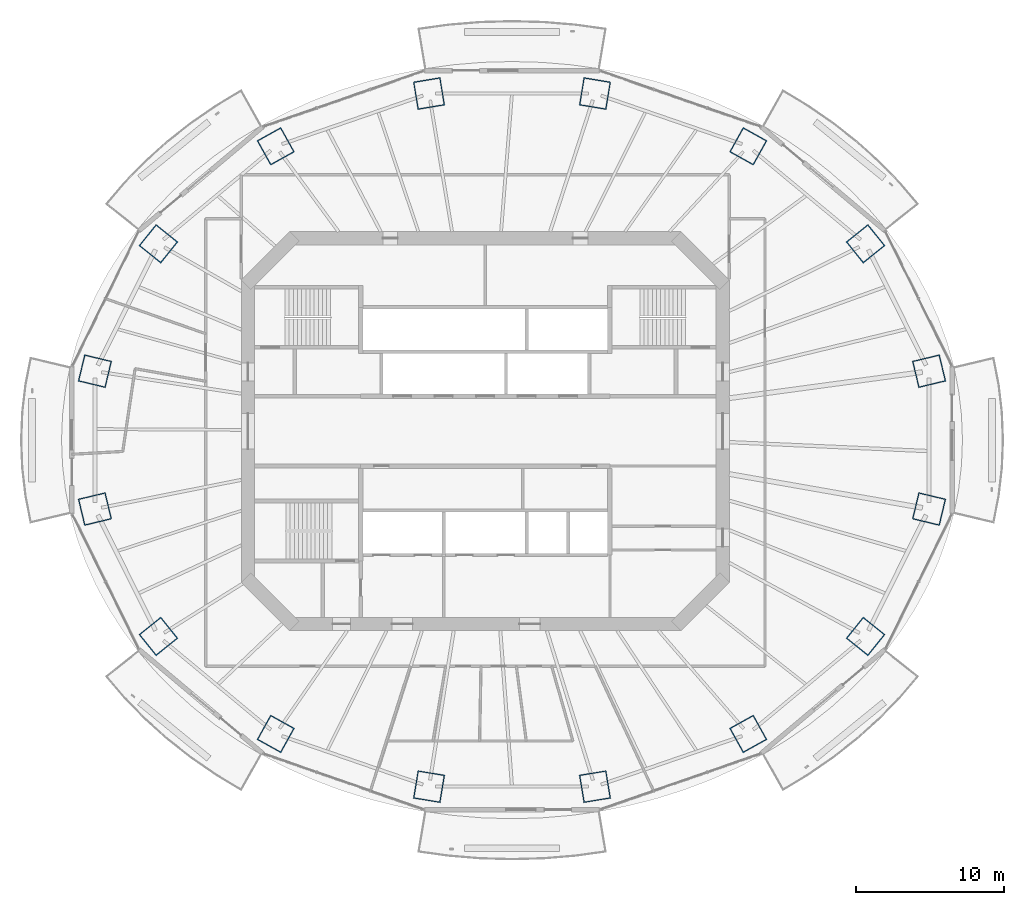
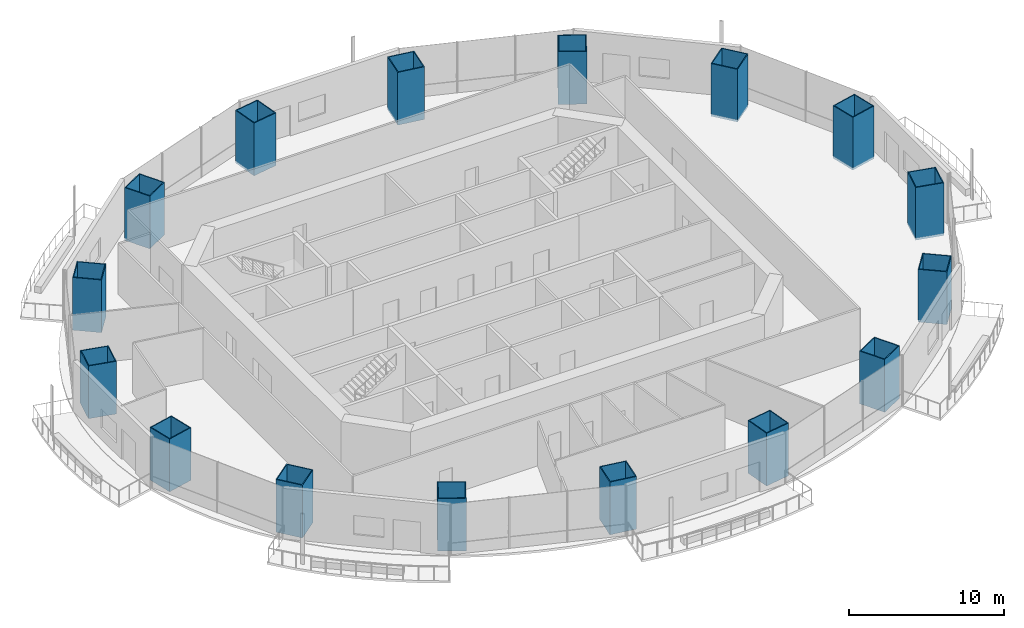
# One storey, part 1 of 19: 16 columns.
"""IFC4 building model written with IfcOpenShell, lengths in metres."""

from ifc_helpers import new_model, si_unit, direction, frame, origin, origin_2d, place, context, subcontext, project, spatial, rectangle, hollow_rectangle, extrude, material, material_profile, profile_set, type_object, element, save


model = new_model("IFC4")

# Units and contexts
model_context = context("Model", 3, precision=1e-05, world=origin(), true_north=direction((0.0, 1.0)))
body_context = subcontext(model_context, "Body", "Model", "MODEL_VIEW")
ifc_project = project(units=[si_unit("LENGTHUNIT", "METRE"), si_unit("AREAUNIT", "SQUARE_METRE"), si_unit("VOLUMEUNIT", "CUBIC_METRE"), si_unit("PLANEANGLEUNIT", "RADIAN"), si_unit("MASSUNIT", "GRAM", prefix="KILO")], contexts=[model_context])

# Site, building, storey
site_placement = place(None, origin())
site = spatial("IfcSite", under=ifc_project, at=site_placement, CompositionType="ELEMENT")
building_placement = place(site_placement, origin())
building = spatial("IfcBuilding", under=site, at=building_placement, Name="Marenthal Gate Tower", CompositionType="ELEMENT")
storey_placement = place(building_placement, frame((0.0, 0.0, 239.89990234375)))
storey = spatial("IfcBuildingStorey", under=building, at=storey_placement, Name="L53", CompositionType="ELEMENT", Elevation=239.89990234375)

# Columns
ifc_material_1 = material(Name="Steel S460", Category="steel")
ifc_material_profile_1 = material_profile(ifc_material_1, hollow_rectangle(XDim=1.85009765625, YDim=1.89990234375, WallThickness=0.06494140625, at=origin_2d()), Name="CFT BOX 1900X1850X65")
ifc_material_2 = material(Name="Concrete 70 MPa", Category="concrete")
ifc_material_profile_2 = material_profile(ifc_material_2, rectangle(XDim=1.719970703125, YDim=1.77001953125, at=origin_2d()), Name="CFT BOX 1900X1850X65 INFILL")
ifc_profile_set = profile_set([ifc_material_profile_1, ifc_material_profile_2], Name="Steel S460 shell, Concrete 70 MPa infill")
column_type = type_object("IfcColumnType", Name="CFT BOX 1900X1850X65", PredefinedType="COLUMN", material=ifc_profile_set)
for number, where, z_axis, x_axis, name in (
    (1, (29.914306640625, 4.046875, -0.179931640625), (0.0, 0.0, 1.0), (0.232803807157, -0.972523720725, 0.0), "COL-L53-01"),
    (2, (25.634033203125, 12.633056640625, -0.179931640625), (0.0, 0.0, 1.0), (0.626651417242, -0.779299686429, 0.0), "COL-L53-02"),
    (3, (17.725341796875, 19.204833984375, -0.179931640625), (0.0, 0.0, 1.0), (0.874281880279, -0.485418575886, 0.0), "COL-L53-03"),
    (4, (7.392333984375, 22.76123046875, -0.179931640625), (0.0, 0.0, 1.0), (0.9866140326, -0.163072838561, 0.0), "COL-L53-04"),
    (5, (-3.792236328125, 22.76123046875, -0.179931640625), (0.0, 0.0, 1.0), (0.9866140326, 0.163072838561, 0.0), "COL-L53-05"),
    (6, (-14.12548828125, 19.204833984375, -0.179931640625), (0.0, 0.0, 1.0), (0.874281880279, 0.485418575886, 0.0), "COL-L53-06"),
    (7, (-22.0341796875, 12.633056640625, -0.179931640625), (0.0, 0.0, 1.0), (0.626651417242, 0.779299686429, 0.0), "COL-L53-07"),
    (8, (-26.314208984375, 4.046875, -0.179931640625), (0.0, 0.0, 1.0), (0.232803807157, 0.972523720725, 0.0), "COL-L53-08"),
    (9, (-26.314208984375, -5.246826171875, -0.179931640625), (0.0, 0.0, 1.0), (-0.232803807157, 0.972523720725, 0.0), "COL-L53-09"),
    (10, (-22.0341796875, -13.8330078125, -0.179931640625), (0.0, 0.0, 1.0), (-0.626651417242, 0.779299686429, 0.0), "COL-L53-10"),
    (11, (-14.12548828125, -20.40478515625, -0.179931640625), (0.0, 0.0, 1.0), (-0.874281880279, 0.485418575886, 0.0), "COL-L53-11"),
    (12, (-3.792236328125, -23.961181640625, -0.179931640625), (0.0, 0.0, 1.0), (-0.9866140326, 0.163072838561, 0.0), "COL-L53-12"),
    (13, (7.392333984375, -23.961181640625, -0.179931640625), (0.0, 0.0, 1.0), (-0.9866140326, -0.163072838561, 0.0), "COL-L53-13"),
    (14, (17.725341796875, -20.40478515625, -0.179931640625), (0.0, 0.0, 1.0), (-0.874281880279, -0.485418575886, 0.0), "COL-L53-14"),
    (15, (25.634033203125, -13.8330078125, -0.179931640625), (0.0, 0.0, 1.0), (-0.626651417242, -0.779299686429, 0.0), "COL-L53-15"),
    (16, (29.914306640625, -5.246826171875, -0.179931640625), (0.0, 0.0, 1.0), (-0.232803807157, -0.972523720725, 0.0), "COL-L53-16"),
):
    element("IfcColumn", number, at=place(storey_placement, frame(where, z_axis=z_axis, x_axis=x_axis)), inside=storey, type_object=column_type, Name=name, PredefinedType="COLUMN", context=body_context, shape_type="SweptSolid", body=[
        extrude(hollow_rectangle(XDim=1.85009765625, YDim=1.89990234375, WallThickness=0.06494140625, at=origin_2d()), origin(), (0.0, 0.0, 1.0), 4.150146484375),
    ])

save(model, "model.ifc")
